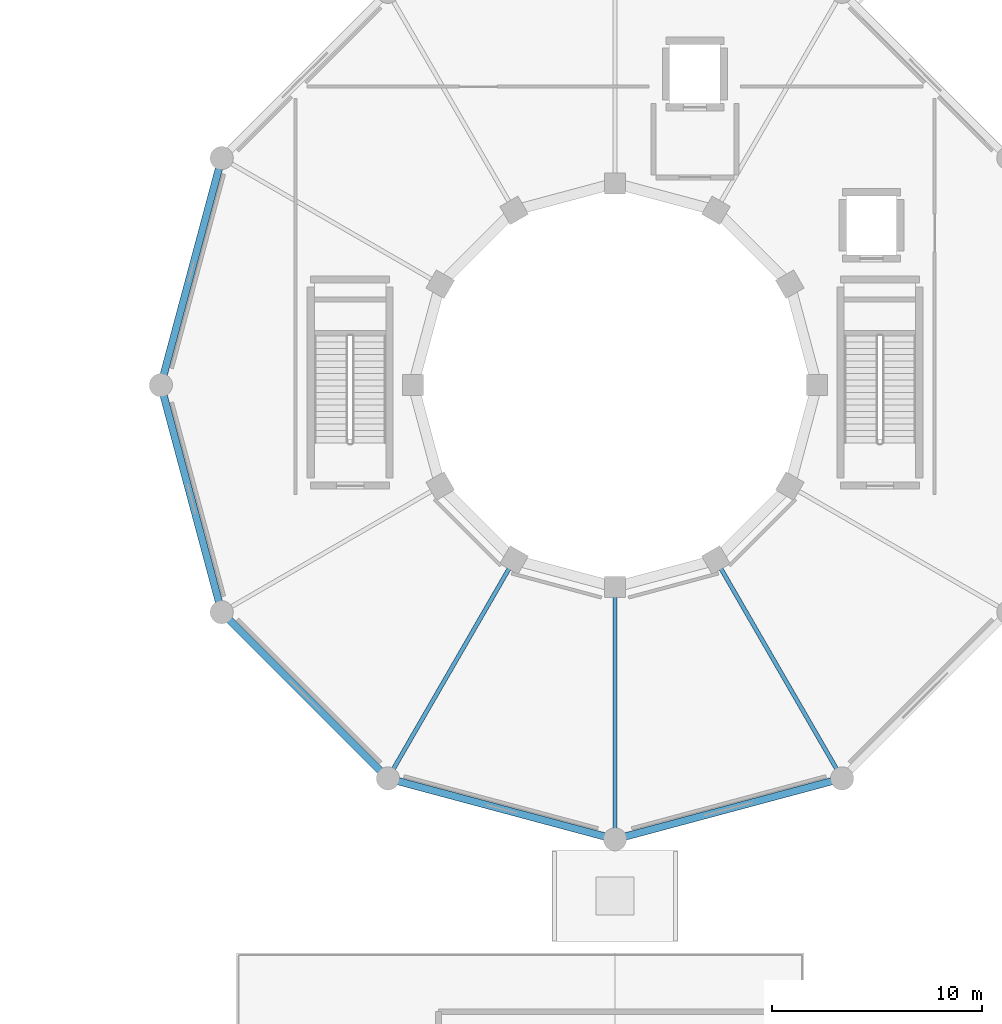
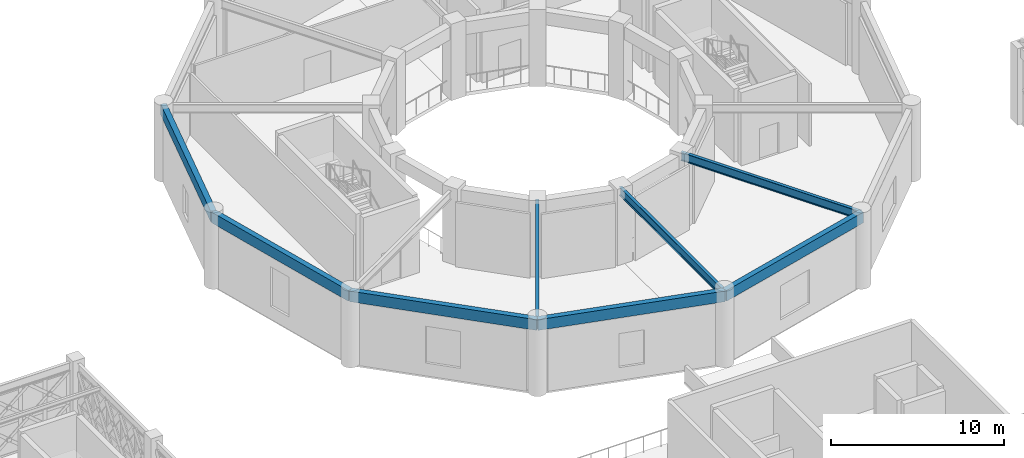
# One storey, part 21 of 86: 8 beams.
"""IFC4 building model written with IfcOpenShell, lengths in metres."""

from ifc_helpers import new_model, si_unit, direction, frame, origin, origin_2d, place, context, subcontext, project, spatial, rectangle, i_section, extrude, material, material_profile, profile_set, type_object, element, save


model = new_model("IFC4")

# Units and contexts
model_context = context("Model", 3, precision=1e-05, world=origin(), true_north=direction((0.0, 1.0)))
body_context = subcontext(model_context, "Body", "Model", "MODEL_VIEW")
ifc_project = project(units=[si_unit("LENGTHUNIT", "METRE"), si_unit("AREAUNIT", "SQUARE_METRE"), si_unit("VOLUMEUNIT", "CUBIC_METRE"), si_unit("PLANEANGLEUNIT", "RADIAN"), si_unit("MASSUNIT", "GRAM", prefix="KILO")], contexts=[model_context])

# Site, building, storey
site_placement = place(None, origin())
site = spatial("IfcSite", under=ifc_project, at=site_placement, CompositionType="ELEMENT")
building_placement = place(site_placement, origin())
building = spatial("IfcBuilding", under=site, at=building_placement, Name="Haizhuo Lancet Aquarium", CompositionType="ELEMENT")
storey_placement = place(building_placement, frame((0.0, 0.0, 16.199951171875)))
storey = spatial("IfcBuildingStorey", under=building, at=storey_placement, Name="L03", CompositionType="ELEMENT", Elevation=16.199951171875)

# Beams
ifc_material_1 = material(Name="Steel S355", Category="steel")
ifc_material_profile_1 = material_profile(ifc_material_1, i_section(OverallWidth=0.199951171875, OverallDepth=0.60009765625, WebThickness=0.010986328125, FlangeThickness=0.01708984375, FilletRadius=0.02197265625, at=origin_2d()), Name="HN 600x200x11x17")
ifc_profile_set_1 = profile_set([ifc_material_profile_1], Name="Steel S355")
beam_type_1 = type_object("IfcBeamType", Name="BM-ST-HN600", PredefinedType="BEAM", material=ifc_profile_set_1)
beam_1_placement = place(storey_placement, frame((-4.800048828125, -8.31396484375, 4.85009765625), z_axis=(-0.500007758305, -0.866020924479, 0.0), x_axis=(0.866020924479, -0.500007758305, 0.0)))
element("IfcBeam", 1, at=beam_1_placement, inside=storey, type_object=beam_type_1, Name="L03 radial gallery girder 9", PredefinedType="BEAM", context=body_context, shape_type="SweptSolid", body=[
    extrude(i_section(OverallWidth=0.199951171875, OverallDepth=0.60009765625, WebThickness=0.010986328125, FlangeThickness=0.01708984375, FilletRadius=0.02197265625, at=origin_2d()), origin(), (0.0, 0.0, 1.0), 11.999755859375),
])
beam_2_placement = place(storey_placement, frame((0.0, -9.60009765625, 4.85009765625), z_axis=(0.0, -1.0, 0.0), x_axis=(1.0, 0.0, 0.0)))
element("IfcBeam", 2, at=beam_2_placement, inside=storey, type_object=beam_type_1, Name="L03 radial gallery girder 10", PredefinedType="BEAM", context=body_context, shape_type="SweptSolid", body=[
    extrude(i_section(OverallWidth=0.199951171875, OverallDepth=0.60009765625, WebThickness=0.010986328125, FlangeThickness=0.01708984375, FilletRadius=0.02197265625, at=origin_2d()), origin(), (0.0, 0.0, 1.0), 12.0),
])
beam_3_placement = place(storey_placement, frame((4.800048828125, -8.31396484375, 4.85009765625), z_axis=(0.500007758305, -0.866020924479, 0.0), x_axis=(0.866020924479, 0.500007758305, 0.0)))
element("IfcBeam", 3, at=beam_3_placement, inside=storey, type_object=beam_type_1, Name="L03 radial gallery girder 11", PredefinedType="BEAM", context=body_context, shape_type="SweptSolid", body=[
    extrude(i_section(OverallWidth=0.199951171875, OverallDepth=0.60009765625, WebThickness=0.010986328125, FlangeThickness=0.01708984375, FilletRadius=0.02197265625, at=origin_2d()), origin(), (0.0, 0.0, 1.0), 11.999755859375),
])
ifc_material_2 = material(Name="Concrete C40/50", Category="concrete")
ifc_material_profile_2 = material_profile(ifc_material_2, rectangle(XDim=0.35009765625, YDim=0.75, at=origin_2d()), Name="RC-SP 350x750")
ifc_profile_set_2 = profile_set([ifc_material_profile_2], Name="Concrete C40/50")
beam_type_2 = type_object("IfcBeamType", Name="SPN-RC-350x750", PredefinedType="SPANDREL", material=ifc_profile_set_2)
for number, where, z_axis, x_axis, name in (
    (4, (-18.7060546875, 10.800048828125, 4.775146484375), (-0.258833949056, -0.965921832664, 0.0), (0.965921832664, -0.258833949056, 0.0), "L03 drum perimeter spandrel 6"),
    (5, (-21.60009765625, 0.0, 4.775146484375), (0.258833949056, -0.965921832664, 0.0), (0.965921832664, 0.258833949056, 0.0), "L03 drum perimeter spandrel 7"),
):
    element("IfcBeam", number, at=place(storey_placement, frame(where, z_axis=z_axis, x_axis=x_axis)), inside=storey, type_object=beam_type_2, Name=name, PredefinedType="SPANDREL", context=body_context, shape_type="SweptSolid", body=[
        extrude(rectangle(XDim=0.35009765625, YDim=0.75, at=origin_2d()), origin(), (0.0, 0.0, 1.0), 11.18115234375),
    ])
beam_4_placement = place(storey_placement, frame((-18.7060546875, -10.800048828125, 4.775146484375), z_axis=(0.707106781187, -0.707106781187, 0.0), x_axis=(0.707106781187, 0.707106781187, 0.0)))
element("IfcBeam", 6, at=beam_4_placement, inside=storey, type_object=beam_type_2, Name="L03 drum perimeter spandrel 8", PredefinedType="SPANDREL", context=body_context, shape_type="SweptSolid", body=[
    extrude(rectangle(XDim=0.35009765625, YDim=0.75, at=origin_2d()), origin(), (0.0, 0.0, 1.0), 11.1806640625),
])
for number, where, z_axis, x_axis, name in (
    (7, (-10.800048828125, -18.7060546875, 4.775146484375), (0.965921832664, -0.258833949056, 0.0), (0.258833949056, 0.965921832664, 0.0), "L03 drum perimeter spandrel 9"),
    (8, (0.0, -21.60009765625, 4.775146484375), (0.965921832664, 0.258833949056, 0.0), (-0.258833949056, 0.965921832664, 0.0), "L03 drum perimeter spandrel 10"),
):
    element("IfcBeam", number, at=place(storey_placement, frame(where, z_axis=z_axis, x_axis=x_axis)), inside=storey, type_object=beam_type_2, Name=name, PredefinedType="SPANDREL", context=body_context, shape_type="SweptSolid", body=[
        extrude(rectangle(XDim=0.35009765625, YDim=0.75, at=origin_2d()), origin(), (0.0, 0.0, 1.0), 11.18115234375),
    ])

save(model, "model.ifc")
